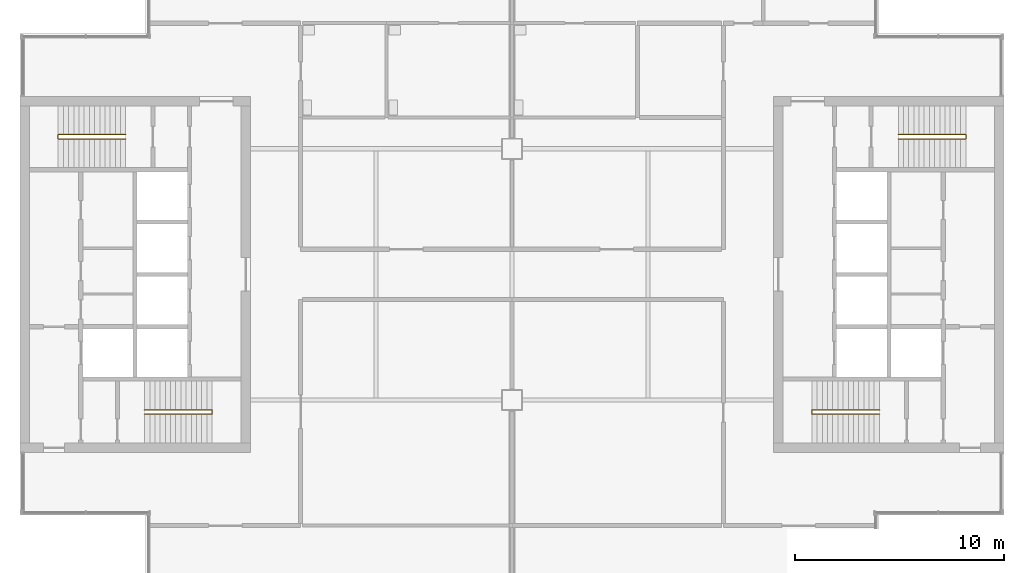
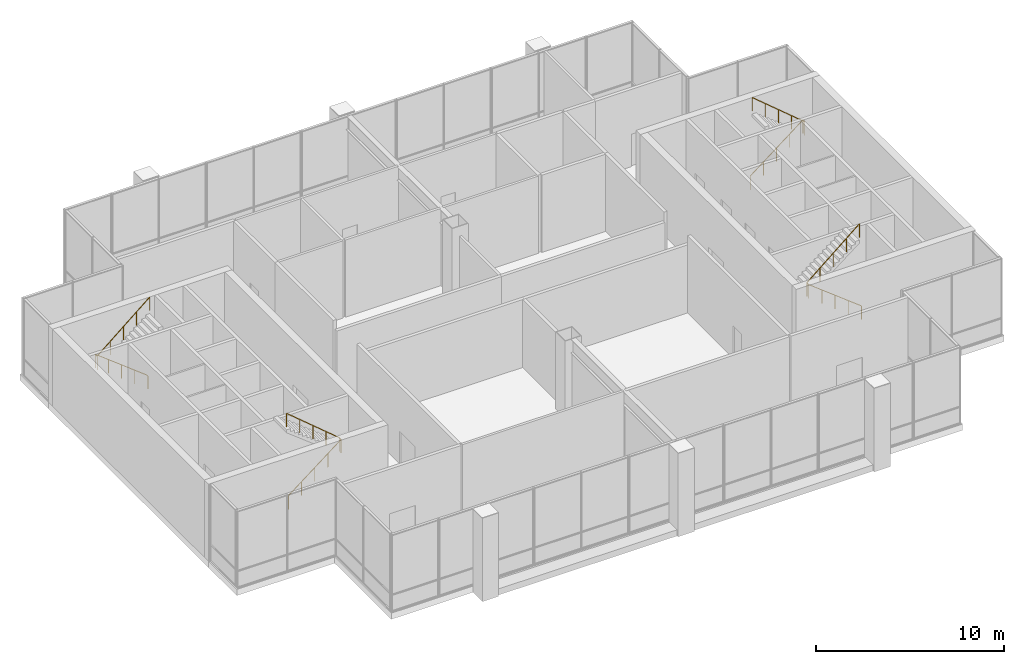
# One storey, part 14 of 15: 4 railings.
"""IFC4 building model written with IfcOpenShell, lengths in metres."""

from ifc_helpers import new_model, si_unit, direction, frame, origin, origin_2d, place, context, subcontext, project, spatial, circle, extrude, material, type_object, element, save


model = new_model("IFC4")

# Units and contexts
model_context = context("Model", 3, precision=1e-05, world=origin(), true_north=direction((0.0, 1.0)))
body_context = subcontext(model_context, "Body", "Model", "MODEL_VIEW")
ifc_project = project(units=[si_unit("LENGTHUNIT", "METRE"), si_unit("AREAUNIT", "SQUARE_METRE"), si_unit("VOLUMEUNIT", "CUBIC_METRE"), si_unit("PLANEANGLEUNIT", "RADIAN"), si_unit("MASSUNIT", "GRAM", prefix="KILO")], contexts=[model_context])

# Site, building, storey
site_placement = place(None, origin())
site = spatial("IfcSite", under=ifc_project, at=site_placement, CompositionType="ELEMENT")
building_placement = place(site_placement, origin())
building = spatial("IfcBuilding", under=site, at=building_placement, Name="Kitamizu Gate Tower and Museum", CompositionType="ELEMENT")
storey_placement = place(building_placement, frame((0.0, 0.0, 277.949951171875)))
storey = spatial("IfcBuildingStorey", under=building, at=storey_placement, Name="L75", CompositionType="ELEMENT", Elevation=277.949951171875)

# Railings
ifc_material = material(Name="Stainless steel SUS304", Category="steel")
railing_type = type_object("IfcRailingType", Name="Stair handrail 900", PredefinedType="HANDRAIL", material=ifc_material)
railing_1_placement = place(storey_placement, frame((18.449951171875, 23.324951171875, 0.19287109375)))
element("IfcRailing", 1, at=railing_1_placement, inside=storey, type_object=railing_type, Name="Stair handrail ST1", PredefinedType="HANDRAIL", context=body_context, shape_type="SweptSolid", body=[
    extrude(circle(Radius=0.02392578125, at=origin_2d()), frame((0.0, 0.0, 0.8759765625), z_axis=(0.789509881835, 0.0, 0.61373784834), x_axis=(0.0, 1.0, 0.0)), (0.0, 0.0, 1.0), 4.0849609375),
    extrude(circle(Radius=0.02392578125, at=origin_2d()), frame((3.22509765625, 0.0, 3.3828125), z_axis=(0.0, 1.0, 0.0), x_axis=(-1.0, 0.0, 0.0)), (0.0, 0.0, 1.0), 0.199951171875),
    extrude(circle(Radius=0.02392578125, at=origin_2d()), frame((3.22509765625, 0.199951171875, 3.3828125), z_axis=(-0.766744384828, 0.0, 0.6419525281), x_axis=(0.0, -1.0, 0.0)), (0.0, 0.0, 1.0), 4.206298828125),
    extrude(circle(Radius=0.02099609375, at=origin_2d()), origin(), (0.0, 0.0, 1.0), 0.851806640625),
    extrude(circle(Radius=0.02099609375, at=origin_2d()), frame((0.80615234375, 0.0, 0.626708984375)), (0.0, 0.0, 1.0), 0.851806640625),
    extrude(circle(Radius=0.02099609375, at=origin_2d()), frame((1.612548828125, 0.0, 1.25341796875)), (0.0, 0.0, 1.0), 0.851806640625),
    extrude(circle(Radius=0.02099609375, at=origin_2d()), frame((2.4189453125, 0.0, 1.88037109375)), (0.0, 0.0, 1.0), 0.851806640625),
    extrude(circle(Radius=0.02099609375, at=origin_2d()), frame((3.22509765625, 0.0, 2.507080078125)), (0.0, 0.0, 1.0), 0.851806640625),
    extrude(circle(Radius=0.02099609375, at=origin_2d()), frame((3.22509765625, 0.199951171875, 2.507080078125)), (0.0, 0.0, 1.0), 0.851806640625),
    extrude(circle(Radius=0.02099609375, at=origin_2d()), frame((2.4189453125, 0.199951171875, 3.18212890625)), (0.0, 0.0, 1.0), 0.851806640625),
    extrude(circle(Radius=0.02099609375, at=origin_2d()), frame((1.612548828125, 0.199951171875, 3.857177734375)), (0.0, 0.0, 1.0), 0.851806640625),
    extrude(circle(Radius=0.02099609375, at=origin_2d()), frame((0.80615234375, 0.199951171875, 4.5322265625)), (0.0, 0.0, 1.0), 0.851806640625),
    extrude(circle(Radius=0.02099609375, at=origin_2d()), frame((0.0, 0.199951171875, 5.207275390625)), (0.0, 0.0, 1.0), 0.851806640625),
])
railing_2_placement = place(storey_placement, frame((17.550048828125, 36.675048828125, 0.19287109375)))
element("IfcRailing", 2, at=railing_2_placement, inside=storey, type_object=railing_type, Name="Stair handrail ST2", PredefinedType="HANDRAIL", context=body_context, shape_type="SweptSolid", body=[
    extrude(circle(Radius=0.02392578125, at=origin_2d()), frame((0.0, 0.0, 0.8759765625), z_axis=(-0.789509881835, 0.0, 0.61373784834), x_axis=(0.0, -1.0, 0.0)), (0.0, 0.0, 1.0), 4.0849609375),
    extrude(circle(Radius=0.02392578125, at=origin_2d()), frame((-3.22509765625, 0.0, 3.3828125), z_axis=(0.0, -1.0, 0.0), x_axis=(1.0, 0.0, 0.0)), (0.0, 0.0, 1.0), 0.199951171875),
    extrude(circle(Radius=0.02392578125, at=origin_2d()), frame((-3.22509765625, -0.199951171875, 3.3828125), z_axis=(0.766744384828, 0.0, 0.6419525281), x_axis=(0.0, 1.0, 0.0)), (0.0, 0.0, 1.0), 4.206298828125),
    extrude(circle(Radius=0.02099609375, at=origin_2d()), origin(), (0.0, 0.0, 1.0), 0.851806640625),
    extrude(circle(Radius=0.02099609375, at=origin_2d()), frame((-0.80615234375, 0.0, 0.626708984375)), (0.0, 0.0, 1.0), 0.851806640625),
    extrude(circle(Radius=0.02099609375, at=origin_2d()), frame((-1.612548828125, 0.0, 1.25341796875)), (0.0, 0.0, 1.0), 0.851806640625),
    extrude(circle(Radius=0.02099609375, at=origin_2d()), frame((-2.4189453125, 0.0, 1.88037109375)), (0.0, 0.0, 1.0), 0.851806640625),
    extrude(circle(Radius=0.02099609375, at=origin_2d()), frame((-3.22509765625, 0.0, 2.507080078125)), (0.0, 0.0, 1.0), 0.851806640625),
    extrude(circle(Radius=0.02099609375, at=origin_2d()), frame((-3.22509765625, -0.199951171875, 2.507080078125)), (0.0, 0.0, 1.0), 0.851806640625),
    extrude(circle(Radius=0.02099609375, at=origin_2d()), frame((-2.4189453125, -0.199951171875, 3.18212890625)), (0.0, 0.0, 1.0), 0.851806640625),
    extrude(circle(Radius=0.02099609375, at=origin_2d()), frame((-1.612548828125, -0.199951171875, 3.857177734375)), (0.0, 0.0, 1.0), 0.851806640625),
    extrude(circle(Radius=0.02099609375, at=origin_2d()), frame((-0.80615234375, -0.199951171875, 4.5322265625)), (0.0, 0.0, 1.0), 0.851806640625),
    extrude(circle(Radius=0.02099609375, at=origin_2d()), frame((0.0, -0.199951171875, 5.207275390625)), (0.0, 0.0, 1.0), 0.851806640625),
])
railing_3_placement = place(storey_placement, frame((53.550048828125, 23.324951171875, 0.19287109375)))
element("IfcRailing", 3, at=railing_3_placement, inside=storey, type_object=railing_type, Name="Stair handrail ST3", PredefinedType="HANDRAIL", context=body_context, shape_type="SweptSolid", body=[
    extrude(circle(Radius=0.02392578125, at=origin_2d()), frame((0.0, 0.0, 0.8759765625), z_axis=(-0.789509881835, 0.0, 0.61373784834), x_axis=(0.0, -1.0, 0.0)), (0.0, 0.0, 1.0), 4.0849609375),
    extrude(circle(Radius=0.02392578125, at=origin_2d()), frame((-3.22509765625, 0.0, 3.3828125), z_axis=(0.0, 1.0, 0.0), x_axis=(-1.0, 0.0, 0.0)), (0.0, 0.0, 1.0), 0.199951171875),
    extrude(circle(Radius=0.02392578125, at=origin_2d()), frame((-3.22509765625, 0.199951171875, 3.3828125), z_axis=(0.766744384828, 0.0, 0.6419525281), x_axis=(0.0, 1.0, 0.0)), (0.0, 0.0, 1.0), 4.206298828125),
    extrude(circle(Radius=0.02099609375, at=origin_2d()), origin(), (0.0, 0.0, 1.0), 0.851806640625),
    extrude(circle(Radius=0.02099609375, at=origin_2d()), frame((-0.80615234375, 0.0, 0.626708984375)), (0.0, 0.0, 1.0), 0.851806640625),
    extrude(circle(Radius=0.02099609375, at=origin_2d()), frame((-1.612548828125, 0.0, 1.25341796875)), (0.0, 0.0, 1.0), 0.851806640625),
    extrude(circle(Radius=0.02099609375, at=origin_2d()), frame((-2.4189453125, 0.0, 1.88037109375)), (0.0, 0.0, 1.0), 0.851806640625),
    extrude(circle(Radius=0.02099609375, at=origin_2d()), frame((-3.22509765625, 0.0, 2.507080078125)), (0.0, 0.0, 1.0), 0.851806640625),
    extrude(circle(Radius=0.02099609375, at=origin_2d()), frame((-3.22509765625, 0.199951171875, 2.507080078125)), (0.0, 0.0, 1.0), 0.851806640625),
    extrude(circle(Radius=0.02099609375, at=origin_2d()), frame((-2.4189453125, 0.199951171875, 3.18212890625)), (0.0, 0.0, 1.0), 0.851806640625),
    extrude(circle(Radius=0.02099609375, at=origin_2d()), frame((-1.612548828125, 0.199951171875, 3.857177734375)), (0.0, 0.0, 1.0), 0.851806640625),
    extrude(circle(Radius=0.02099609375, at=origin_2d()), frame((-0.80615234375, 0.199951171875, 4.5322265625)), (0.0, 0.0, 1.0), 0.851806640625),
    extrude(circle(Radius=0.02099609375, at=origin_2d()), frame((0.0, 0.199951171875, 5.207275390625)), (0.0, 0.0, 1.0), 0.851806640625),
])
railing_4_placement = place(storey_placement, frame((54.449951171875, 36.675048828125, 0.19287109375)))
element("IfcRailing", 4, at=railing_4_placement, inside=storey, type_object=railing_type, Name="Stair handrail ST4", PredefinedType="HANDRAIL", context=body_context, shape_type="SweptSolid", body=[
    extrude(circle(Radius=0.02392578125, at=origin_2d()), frame((0.0, 0.0, 0.8759765625), z_axis=(0.789509881835, 0.0, 0.61373784834), x_axis=(0.0, 1.0, 0.0)), (0.0, 0.0, 1.0), 4.0849609375),
    extrude(circle(Radius=0.02392578125, at=origin_2d()), frame((3.22509765625, 0.0, 3.3828125), z_axis=(0.0, -1.0, 0.0), x_axis=(1.0, 0.0, 0.0)), (0.0, 0.0, 1.0), 0.199951171875),
    extrude(circle(Radius=0.02392578125, at=origin_2d()), frame((3.22509765625, -0.199951171875, 3.3828125), z_axis=(-0.766744384828, 0.0, 0.6419525281), x_axis=(0.0, -1.0, 0.0)), (0.0, 0.0, 1.0), 4.206298828125),
    extrude(circle(Radius=0.02099609375, at=origin_2d()), origin(), (0.0, 0.0, 1.0), 0.851806640625),
    extrude(circle(Radius=0.02099609375, at=origin_2d()), frame((0.80615234375, 0.0, 0.626708984375)), (0.0, 0.0, 1.0), 0.851806640625),
    extrude(circle(Radius=0.02099609375, at=origin_2d()), frame((1.612548828125, 0.0, 1.25341796875)), (0.0, 0.0, 1.0), 0.851806640625),
    extrude(circle(Radius=0.02099609375, at=origin_2d()), frame((2.4189453125, 0.0, 1.88037109375)), (0.0, 0.0, 1.0), 0.851806640625),
    extrude(circle(Radius=0.02099609375, at=origin_2d()), frame((3.22509765625, 0.0, 2.507080078125)), (0.0, 0.0, 1.0), 0.851806640625),
    extrude(circle(Radius=0.02099609375, at=origin_2d()), frame((3.22509765625, -0.199951171875, 2.507080078125)), (0.0, 0.0, 1.0), 0.851806640625),
    extrude(circle(Radius=0.02099609375, at=origin_2d()), frame((2.4189453125, -0.199951171875, 3.18212890625)), (0.0, 0.0, 1.0), 0.851806640625),
    extrude(circle(Radius=0.02099609375, at=origin_2d()), frame((1.612548828125, -0.199951171875, 3.857177734375)), (0.0, 0.0, 1.0), 0.851806640625),
    extrude(circle(Radius=0.02099609375, at=origin_2d()), frame((0.80615234375, -0.199951171875, 4.5322265625)), (0.0, 0.0, 1.0), 0.851806640625),
    extrude(circle(Radius=0.02099609375, at=origin_2d()), frame((0.0, -0.199951171875, 5.207275390625)), (0.0, 0.0, 1.0), 0.851806640625),
])

save(model, "model.ifc")
